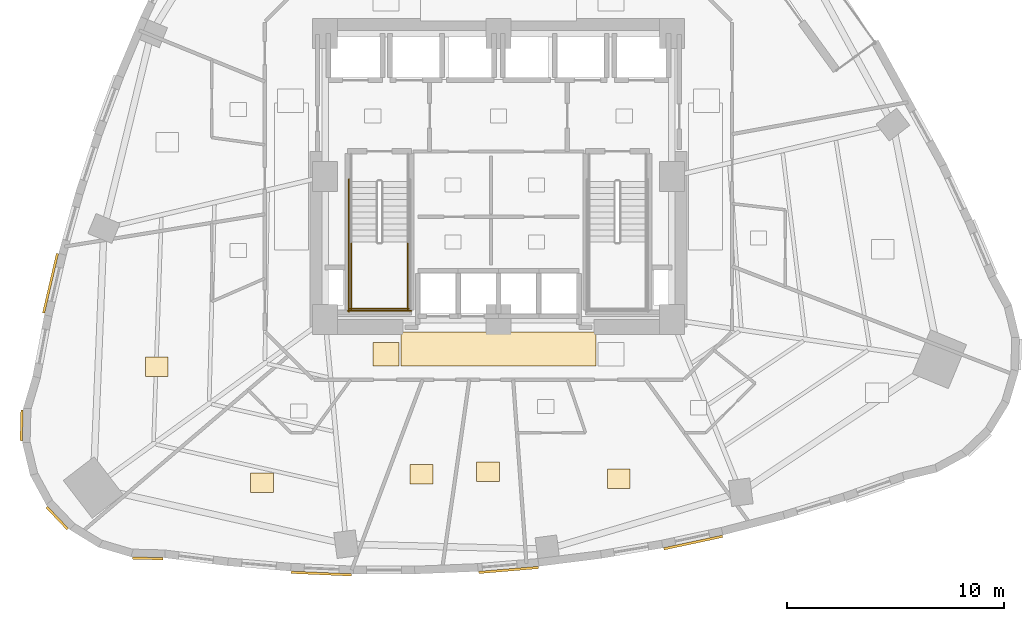
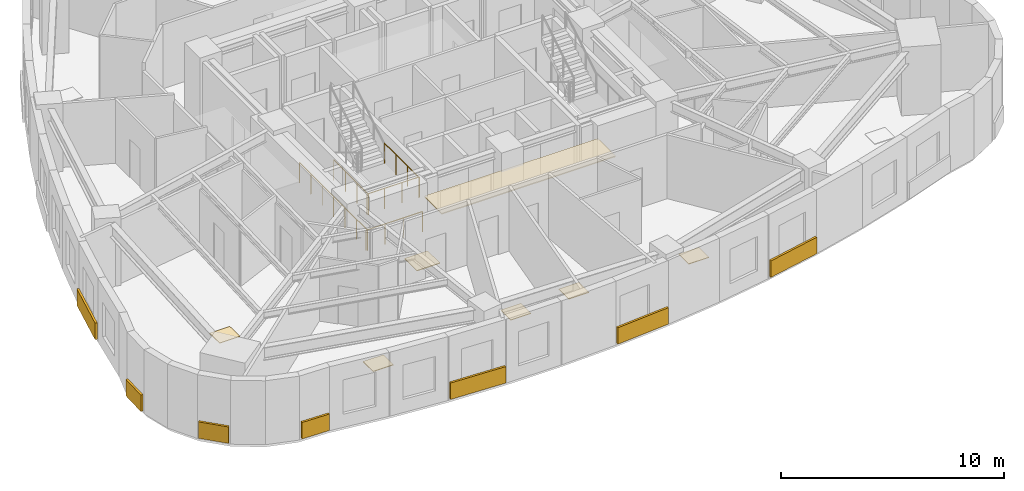
# One storey, part 13 of 15: 14 coverings, 5 railings.
"""IFC4 building model written with IfcOpenShell, lengths in metres."""

from ifc_helpers import new_model, si_unit, direction, frame, origin, origin_2d, place, context, subcontext, project, spatial, rectangle, circle, extrude, material, layer, layer_set, type_object, element, save


model = new_model("IFC4")

# Units and contexts
model_context = context("Model", 3, precision=1e-05, world=origin(), true_north=direction((0.0, 1.0)))
body_context = subcontext(model_context, "Body", "Model", "MODEL_VIEW")
ifc_project = project(units=[si_unit("LENGTHUNIT", "METRE"), si_unit("AREAUNIT", "SQUARE_METRE"), si_unit("VOLUMEUNIT", "CUBIC_METRE"), si_unit("PLANEANGLEUNIT", "RADIAN"), si_unit("MASSUNIT", "GRAM", prefix="KILO")], contexts=[model_context])

# Site, building, storey
site_placement = place(None, origin())
site = spatial("IfcSite", under=ifc_project, at=site_placement, CompositionType="ELEMENT")
building_placement = place(site_placement, origin())
building = spatial("IfcBuilding", under=site, at=building_placement, Name="Ndelora Gate Hotel", CompositionType="ELEMENT")
storey_placement = place(building_placement, frame((0.0, 0.0, 53.0)))
storey = spatial("IfcBuildingStorey", under=building, at=storey_placement, Name="L12", CompositionType="ELEMENT", Elevation=53.0)

# Coverings
ifc_material_1 = material(Name="Perforated Acoustic Gypsum Board", Category="gypsum")
ifc_layer_1 = layer(ifc_material_1, 0.054931640625)
ifc_layer_set_1 = layer_set([ifc_layer_1], Name="Perforated Acoustic Gypsum Board")
covering_type_1 = type_object("IfcCoveringType", Name="COV-CEIL-AC60", PredefinedType="CEILING", material=ifc_layer_set_1)
covering_1_placement = place(storey_placement, frame((0.0, -7.9599609375, 2.65234375), z_axis=(0.0, 0.0, 1.0), x_axis=(1.0, 0.0, 0.0)))
element("IfcCovering", 1, at=covering_1_placement, inside=storey, type_object=covering_type_1, Name="L12 Guest Corridor Acoustic Ceiling S", PredefinedType="CEILING", context=body_context, shape_type="SweptSolid", body=[
    extrude(rectangle(XDim=9.0, YDim=1.580078125, at=origin_2d()), origin(), (0.0, 0.0, 1.0), 0.054931640625),
])
ifc_material_2 = material(Name="Terracotta Fired Clay Brick Slip Cladding", Category="masonry")
ifc_layer_2 = layer(ifc_material_2, 0.110107421875)
ifc_layer_set_2 = layer_set([ifc_layer_2], Name="Terracotta Fired Clay Brick Slip Cladding")
covering_type_2 = type_object("IfcCoveringType", Name="COV-CLAD-BRK", PredefinedType="CLADDING", material=ifc_layer_set_2)
covering_2_placement = place(storey_placement, frame((-20.671875, -4.927490234375, 0.10009765625), z_axis=(0.0, 0.0, 1.0), x_axis=(0.226821294859, 0.973936394329, 0.0)))
element("IfcCovering", 2, at=covering_2_placement, inside=storey, type_object=covering_type_2, Name="L12 Rounded-Corner Brick Cladding Band 19", PredefinedType="CLADDING", context=body_context, shape_type="SweptSolid", body=[
    extrude(rectangle(XDim=2.81103515625, YDim=0.110107421875, at=origin_2d()), origin(), (0.0, 0.0, 1.0), 0.89990234375),
])
for number, where, z_axis, x_axis, name in (
    (3, (-22.006591796875, -11.486083984375, 0.10009765625), (0.0, 0.0, 1.0), (0.026176948308, 0.999657324976, 0.0), "L12 Rounded-Corner Brick Cladding Band 22"),
    (4, (-20.365478515625, -15.76171875, 0.10009765625), (0.0, 0.0, 1.0), (-0.688354575694, 0.725374371012, 0.0), "L12 Rounded-Corner Brick Cladding Band 25"),
    (5, (-16.181396484375, -17.62451171875, 0.10009765625), (0.0, 0.0, 1.0), (-0.999657324976, 0.026176948308, 0.0), "L12 Rounded-Corner Brick Cladding Band 28"),
):
    element("IfcCovering", number, at=place(storey_placement, frame(where, z_axis=z_axis, x_axis=x_axis)), inside=storey, type_object=covering_type_2, Name=name, PredefinedType="CLADDING", context=body_context, shape_type="SweptSolid", body=[
        extrude(rectangle(XDim=1.4140625, YDim=0.110107421875, at=origin_2d()), origin(), (0.0, 0.0, 1.0), 0.89990234375),
    ])
covering_3_placement = place(storey_placement, frame((-8.17041015625, -18.325439453125, 0.10009765625), z_axis=(0.0, 0.0, 1.0), x_axis=(-0.999040593346, 0.043793753509, 0.0)))
element("IfcCovering", 6, at=covering_3_placement, inside=storey, type_object=covering_type_2, Name="L12 Rounded-Corner Brick Cladding Band 31", PredefinedType="CLADDING", context=body_context, shape_type="SweptSolid", body=[
    extrude(rectangle(XDim=2.791015625, YDim=0.110107421875, at=origin_2d()), origin(), (0.0, 0.0, 1.0), 0.89990234375),
])
covering_4_placement = place(storey_placement, frame((0.466064453125, -18.157470703125, 0.10009765625), z_axis=(0.0, 0.0, 1.0), x_axis=(0.996522007617, 0.083329996614, 0.0)))
element("IfcCovering", 7, at=covering_4_placement, inside=storey, type_object=covering_type_2, Name="L12 Rounded-Corner Brick Cladding Band 34", PredefinedType="CLADDING", context=body_context, shape_type="SweptSolid", body=[
    extrude(rectangle(XDim=2.760009765625, YDim=0.110107421875, at=origin_2d()), origin(), (0.0, 0.0, 1.0), 0.89990234375),
])
covering_5_placement = place(storey_placement, frame((8.9873046875, -16.89208984375, 0.10009765625), z_axis=(0.0, 0.0, 1.0), x_axis=(0.977783236759, 0.209618562904, 0.0)))
element("IfcCovering", 8, at=covering_5_placement, inside=storey, type_object=covering_type_2, Name="L12 Rounded-Corner Brick Cladding Band 37", PredefinedType="CLADDING", context=body_context, shape_type="SweptSolid", body=[
    extrude(rectangle(XDim=2.77490234375, YDim=0.110107421875, at=origin_2d()), origin(), (0.0, 0.0, 1.0), 0.89990234375),
])
ifc_material_3 = material(Name="Engineered Highland Oak Parquet", Category="wood")
ifc_layer_3 = layer(ifc_material_3, 0.030029296875)
ifc_layer_set_3 = layer_set([ifc_layer_3], Name="Engineered Highland Oak Parquet")
covering_type_3 = type_object("IfcCoveringType", Name="COV-FLR-PARQ", PredefinedType="FLOORING", material=ifc_layer_set_3)
for number, where, z_axis, x_axis, name in (
    (9, (5.5537109375, -13.938720703125, 0.0), (0.0, 0.0, 1.0), (1.0, 0.0, 0.0), "L12 Corner Panorama Suite 1501 Oak Parquet Flooring"),
    (10, (-15.763916015625, -8.77197265625, 0.0), (0.0, 0.0, 1.0), (1.0, 0.0, 0.0), "L12 Superior Double Junior Suite 1506 Oak Parquet Flooring"),
    (11, (-10.915283203125, -14.14111328125, 0.0), (0.0, 0.0, 1.0), (1.0, 0.0, 0.0), "L12 Twin Junior Suite 1507 Oak Parquet Flooring"),
    (12, (-3.548583984375, -13.74560546875, 0.0), (0.0, 0.0, 1.0), (1.0, 0.0, 0.0), "L12 Housekeeping and Linen Room Oak Parquet Flooring"),
    (13, (-0.48388671875, -13.618896484375, 0.0), (0.0, 0.0, 1.0), (1.0, 0.0, 0.0), "L12 Accessible WC Oak Parquet Flooring"),
):
    element("IfcCovering", number, at=place(storey_placement, frame(where, z_axis=z_axis, x_axis=x_axis)), inside=storey, type_object=covering_type_3, Name=name, PredefinedType="FLOORING", context=body_context, shape_type="SweptSolid", body=[
        extrude(rectangle(XDim=1.050048828125, YDim=0.89990234375, at=origin_2d()), origin(), (0.0, 0.0, 1.0), 0.030029296875),
    ])
ifc_material_4 = material(Name="Polished Highland Stone Terrazzo", Category="masonry")
ifc_layer_4 = layer(ifc_material_4, 0.034912109375)
ifc_layer_set_4 = layer_set([ifc_layer_4], Name="Polished Highland Stone Terrazzo")
covering_type_4 = type_object("IfcCoveringType", Name="COV-FLR-TERZ", PredefinedType="FLOORING", material=ifc_layer_set_4)
covering_6_placement = place(storey_placement, frame((-5.199951171875, -8.199951171875, 0.0), z_axis=(0.0, 0.0, 1.0), x_axis=(1.0, 0.0, 0.0)))
element("IfcCovering", 14, at=covering_6_placement, inside=storey, type_object=covering_type_4, Name="L12 Corridor Threshold Terrazzo Inlay SW", PredefinedType="FLOORING", context=body_context, shape_type="SweptSolid", body=[
    extrude(rectangle(XDim=1.199951171875, YDim=1.10009765625, at=origin_2d()), origin(), (0.0, 0.0, 1.0), 0.034912109375),
])

# Railings
ifc_material_5 = material(Name="Painted Galvanized Steel Balustrade", Category="steel")
ifc_layer_5 = layer(ifc_material_5, 0.06005859375)
ifc_layer_set_5 = layer_set([ifc_layer_5], Name="Painted Galvanized Steel Balustrade")
railing_type = type_object("IfcRailingType", Name="RL-STAIR-GD", PredefinedType="GUARDRAIL", material=ifc_layer_set_5)
for number, where, name in (
    (15, (-6.800048828125, -3.030029296875, 1.875), "L12 ST4 stair guard 3"),
    (16, (-4.179931640625, -3.030029296875, 1.875), "L12 ST4 stair guard 4"),
):
    element("IfcRailing", number, at=place(storey_placement, frame(where)), inside=storey, type_object=railing_type, Name=name, PredefinedType="GUARDRAIL", context=body_context, shape_type="SweptSolid", body=[
        extrude(circle(Radius=0.02392578125, at=origin_2d()), frame((0.0, 0.0, 1.10595703125), z_axis=(0.0, -1.0, 0.0), x_axis=(1.0, 0.0, 0.0)), (0.0, 0.0, 1.0), 3.119873046875),
        extrude(circle(Radius=0.02099609375, at=origin_2d()), origin(), (0.0, 0.0, 1.0), 1.081787109375),
        extrude(circle(Radius=0.02099609375, at=origin_2d()), frame((0.0, -1.0400390625, 0.0)), (0.0, 0.0, 1.0), 1.081787109375),
        extrude(circle(Radius=0.02099609375, at=origin_2d()), frame((0.0, -2.079833984375, 0.0)), (0.0, 0.0, 1.0), 1.081787109375),
        extrude(circle(Radius=0.02099609375, at=origin_2d()), frame((0.0, -3.119873046875, 0.0)), (0.0, 0.0, 1.0), 1.081787109375),
    ])
railing_1_placement = place(storey_placement, frame((-6.85009765625, -6.10009765625, 1.875)))
element("IfcRailing", 17, at=railing_1_placement, inside=storey, type_object=railing_type, Name="L12 ST4 stair guard 5", PredefinedType="GUARDRAIL", context=body_context, shape_type="SweptSolid", body=[
    extrude(circle(Radius=0.02392578125, at=origin_2d()), frame((0.0, 0.0, 1.10595703125), z_axis=(1.0, 0.0, 0.0), x_axis=(0.0, 1.0, 0.0)), (0.0, 0.0, 1.0), 2.72021484375),
    extrude(circle(Radius=0.02099609375, at=origin_2d()), origin(), (0.0, 0.0, 1.0), 1.081787109375),
    extrude(circle(Radius=0.02099609375, at=origin_2d()), frame((0.90673828125, 0.0, 0.0)), (0.0, 0.0, 1.0), 1.081787109375),
    extrude(circle(Radius=0.02099609375, at=origin_2d()), frame((1.8134765625, 0.0, 0.0)), (0.0, 0.0, 1.0), 1.081787109375),
    extrude(circle(Radius=0.02099609375, at=origin_2d()), frame((2.72021484375, 0.0, 0.0)), (0.0, 0.0, 1.0), 1.081787109375),
])
railing_2_placement = place(storey_placement, frame((-6.89990234375, -0.1298828125, 0.0)))
element("IfcRailing", 18, at=railing_2_placement, inside=storey, type_object=railing_type, Name="L12 ST4 stair guard 10", PredefinedType="GUARDRAIL", context=body_context, shape_type="SweptSolid", body=[
    extrude(circle(Radius=0.02392578125, at=origin_2d()), frame((0.0, 0.0, 1.10595703125), z_axis=(0.0, -1.0, 0.0), x_axis=(1.0, 0.0, 0.0)), (0.0, 0.0, 1.0), 6.1201171875),
    extrude(circle(Radius=0.02099609375, at=origin_2d()), origin(), (0.0, 0.0, 1.0), 1.081787109375),
    extrude(circle(Radius=0.02099609375, at=origin_2d()), frame((0.0, -1.02001953125, 0.0)), (0.0, 0.0, 1.0), 1.081787109375),
    extrude(circle(Radius=0.02099609375, at=origin_2d()), frame((0.0, -2.0400390625, 0.0)), (0.0, 0.0, 1.0), 1.081787109375),
    extrude(circle(Radius=0.02099609375, at=origin_2d()), frame((0.0, -3.06005859375, 0.0)), (0.0, 0.0, 1.0), 1.081787109375),
    extrude(circle(Radius=0.02099609375, at=origin_2d()), frame((0.0, -4.080078125, 0.0)), (0.0, 0.0, 1.0), 1.081787109375),
    extrude(circle(Radius=0.02099609375, at=origin_2d()), frame((0.0, -5.10009765625, 0.0)), (0.0, 0.0, 1.0), 1.081787109375),
    extrude(circle(Radius=0.02099609375, at=origin_2d()), frame((0.0, -6.1201171875, 0.0)), (0.0, 0.0, 1.0), 1.081787109375),
])
railing_3_placement = place(storey_placement, frame((-6.949951171875, -6.199951171875, 0.0)))
element("IfcRailing", 19, at=railing_3_placement, inside=storey, type_object=railing_type, Name="L12 ST4 stair guard 12", PredefinedType="GUARDRAIL", context=body_context, shape_type="SweptSolid", body=[
    extrude(circle(Radius=0.02392578125, at=origin_2d()), frame((0.0, 0.0, 1.10595703125), z_axis=(1.0, 0.0, 0.0), x_axis=(0.0, 1.0, 0.0)), (0.0, 0.0, 1.0), 2.919921875),
    extrude(circle(Radius=0.02099609375, at=origin_2d()), origin(), (0.0, 0.0, 1.0), 1.081787109375),
    extrude(circle(Radius=0.02099609375, at=origin_2d()), frame((0.973388671875, 0.0, 0.0)), (0.0, 0.0, 1.0), 1.081787109375),
    extrude(circle(Radius=0.02099609375, at=origin_2d()), frame((1.946533203125, 0.0, 0.0)), (0.0, 0.0, 1.0), 1.081787109375),
    extrude(circle(Radius=0.02099609375, at=origin_2d()), frame((2.919921875, 0.0, 0.0)), (0.0, 0.0, 1.0), 1.081787109375),
])

save(model, "model.ifc")
